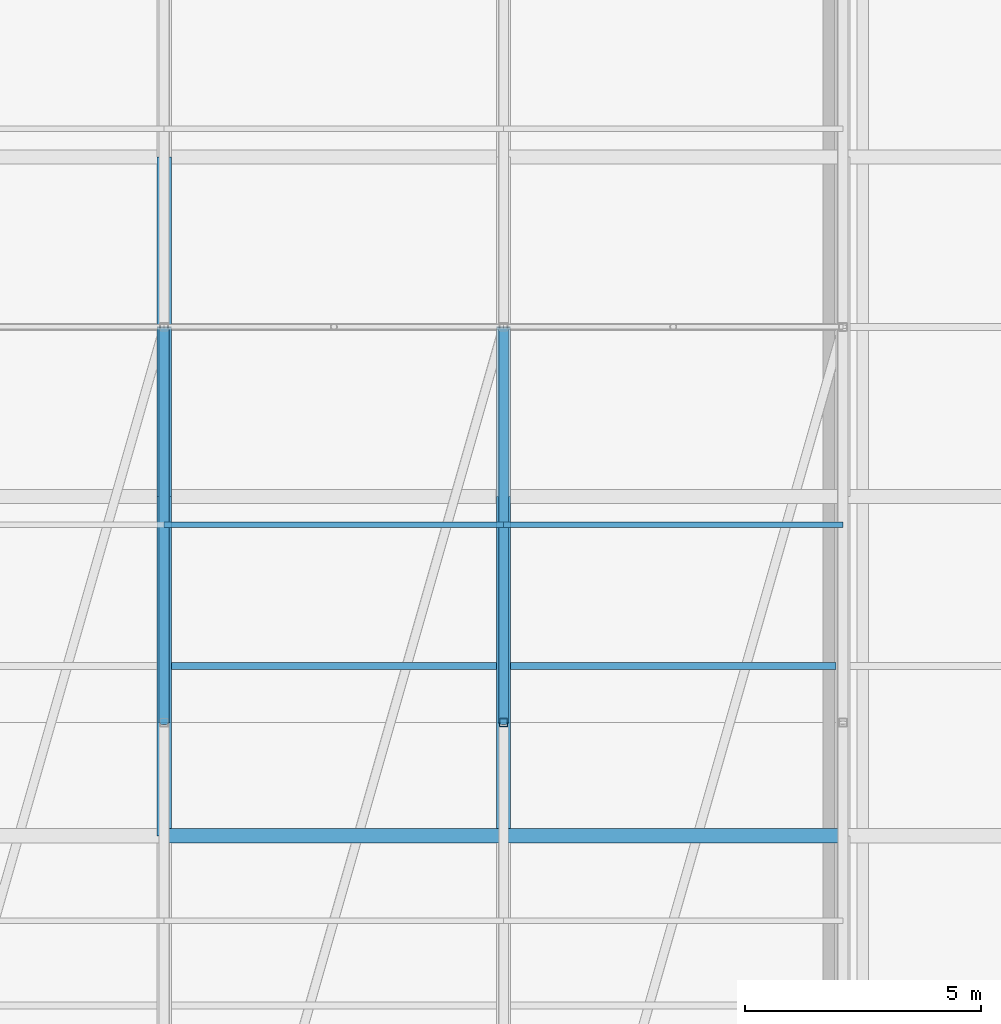
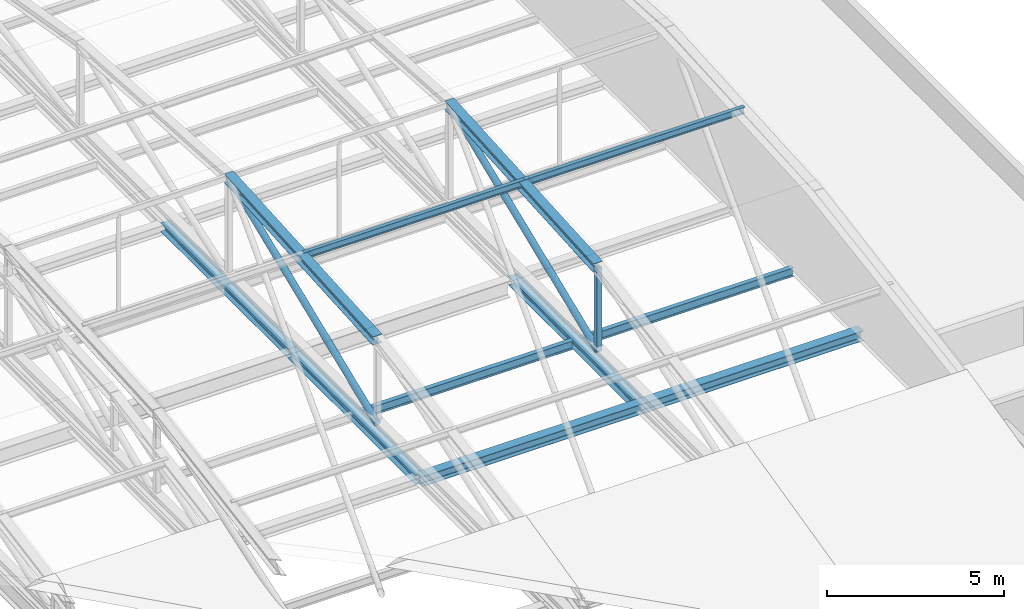
# One storey, part 30 of 76: 9 beams, 5 members.
"""IFC4 building model written with IfcOpenShell, lengths in metres."""

import ifcopenshell
import ifcopenshell.guid

model = None  # the IFC model being written
_history = None  # IfcOwnerHistory: only IFC2X3 demands one
_inside = {}  # id of a spatial element -> (the spatial element, [elements in it])
_under = {}  # id of a project, library or spatial element -> (it, [spatial elements below it])
_declared = {}  # id of a project -> (the project, [libraries it declares])
_typed = {}  # id of a type object -> (the type object, [elements of that type])
_made_of = {}  # id of a material, layer set ... -> (it, [elements and type objects made of it])


def new_model(schema):
    """Start an empty IFC model of exactly this schema.

    Asked for "IFC4X3", IfcOpenShell would pick the latest addendum, in which some entities
    have other attributes; the version numbers below select the first issue.
    IFC2X3 requires an IfcOwnerHistory on every rooted entity: one is made here for all.
    """
    global model, _history
    if schema == "IFC4X3":
        model = ifcopenshell.file(schema_version=(4, 3, 0, 0))
    else:
        model = ifcopenshell.file(schema=schema)
    _inside.clear()
    _under.clear()
    _declared.clear()
    _typed.clear()
    _made_of.clear()
    _history = None
    if model.schema == "IFC2X3":
        org = make("IfcOrganization", Name="unknown")
        user = make(
            "IfcPersonAndOrganization",
            ThePerson=make("IfcPerson", FamilyName="unknown"),
            TheOrganization=org,
        )
        app = make(
            "IfcApplication",
            ApplicationDeveloper=org,
            Version="unknown",
            ApplicationFullName="unknown",
            ApplicationIdentifier="unknown",
        )
        _history = make(
            "IfcOwnerHistory",
            OwningUser=user,
            OwningApplication=app,
            ChangeAction="ADDED",
            CreationDate=0,
        )
    return model


def make(cls, **values):
    """One entity of the class cls with the attributes given. An attribute that is None is left unset."""
    return model.create_entity(
        cls, **{name: value for name, value in values.items() if value is not None}
    )


def rooted(cls, **values):
    """An entity with a GlobalId (a new one), such as an element, a storey or a relation."""
    return make(cls, GlobalId=ifcopenshell.guid.new(), OwnerHistory=_history, **values)


def si_unit(unit_type, name, prefix=None):
    """IfcSIUnit, for example si_unit("LENGTHUNIT", "METRE", prefix="MILLI")."""
    return make("IfcSIUnit", UnitType=unit_type, Prefix=prefix, Name=name)


def assignment(units):
    """IfcUnitAssignment: the units of a project."""
    return None if units is None else make("IfcUnitAssignment", Units=units)


def point(xyz):
    """IfcCartesianPoint."""
    return None if xyz is None else make("IfcCartesianPoint", Coordinates=xyz)


def direction(xyz):
    """IfcDirection."""
    return None if xyz is None else make("IfcDirection", DirectionRatios=xyz)


def frame(location, z_axis=None, x_axis=None):
    """IfcAxis2Placement3D, a coordinate frame: its origin and axes. An axis left out is left unset."""
    return make(
        "IfcAxis2Placement3D",
        Location=point(location),
        Axis=direction(z_axis),
        RefDirection=direction(x_axis),
    )


def frame_2d(location, x_axis=None):
    """IfcAxis2Placement2D, a coordinate frame in the plane: its origin and x axis."""
    return make(
        "IfcAxis2Placement2D", Location=point(location), RefDirection=direction(x_axis)
    )


def origin():
    """The frame at (0, 0, 0) with its axes left unset."""
    return frame((0.0, 0.0, 0.0))


def origin_2d():
    """The frame at (0, 0) in the plane with its x axis left unset."""
    return frame_2d((0.0, 0.0))


def place(relative_to, where):
    """IfcLocalPlacement: puts the frame where relative to a parent placement (None: the world)."""
    return make(
        "IfcLocalPlacement", PlacementRelTo=relative_to, RelativePlacement=where
    )


def context(
    kind, dimensions, precision=None, world=None, true_north=None, identifier=None
):
    """IfcGeometricRepresentationContext, for example the 3D "Model" context."""
    return make(
        "IfcGeometricRepresentationContext",
        ContextIdentifier=identifier,
        ContextType=kind,
        CoordinateSpaceDimension=dimensions,
        Precision=precision,
        WorldCoordinateSystem=world,
        TrueNorth=true_north,
    )


def subcontext(parent, identifier, kind, view, scale=None):
    """IfcGeometricRepresentationSubContext, for example "Body" below "Model"."""
    return make(
        "IfcGeometricRepresentationSubContext",
        ContextIdentifier=identifier,
        ContextType=kind,
        ParentContext=parent,
        TargetScale=scale,
        TargetView=view,
    )


def project(units=None, contexts=None):
    """IfcProject with its units and contexts."""
    return rooted(
        "IfcProject",
        Name="project",
        RepresentationContexts=contexts,
        UnitsInContext=assignment(units),
    )


def spatial(cls, under=None, at=None, **own):
    """A site, building, storey or space (cls), placed at a placement, below another one or the project."""
    s = rooted(cls, ObjectPlacement=at, **own)
    if under is not None:
        _under.setdefault(under.id(), (under, []))[1].append(s)
    return s


def profile(cls, at=None, kind="AREA", **sizes):
    """A parametric profile (cls). Its sizes go by their IFC names, for example OverallWidth=200.0."""
    return make(cls, ProfileType=kind, Position=at, **sizes)


def hollow_rectangle(**sizes):
    """IfcRectangleHollowProfileDef."""
    return profile("IfcRectangleHollowProfileDef", **sizes)


def hollow_circle(**sizes):
    """IfcCircleHollowProfileDef."""
    return profile("IfcCircleHollowProfileDef", **sizes)


def i_section(**sizes):
    """IfcIShapeProfileDef."""
    return profile("IfcIShapeProfileDef", **sizes)


def extrude(swept, where, along, depth):
    """IfcExtrudedAreaSolid: the profile swept, set in the frame where, extruded along a direction by depth."""
    return make(
        "IfcExtrudedAreaSolid",
        SweptArea=swept,
        Position=where,
        ExtrudedDirection=direction(along),
        Depth=depth,
    )


def shape(context_of_items, identifier, shape_type, items):
    """IfcShapeRepresentation: the items that make up one representation, for example the "Body"."""
    return make(
        "IfcShapeRepresentation",
        ContextOfItems=context_of_items,
        RepresentationIdentifier=identifier,
        RepresentationType=shape_type,
        Items=items,
    )


def material(Name=None, Category=None):
    """IfcMaterial."""
    return make("IfcMaterial", Name=Name, Category=Category)


def material_profile(
    of_material, cross_section, Name=None, Category=None, Priority=None
):
    """IfcMaterialProfile: a cross section and its material."""
    return make(
        "IfcMaterialProfile",
        Name=Name,
        Material=of_material,
        Profile=cross_section,
        Priority=Priority,
        Category=Category,
    )


def profile_set(profiles, Name=None, composite=None):
    """IfcMaterialProfileSet."""
    return make(
        "IfcMaterialProfileSet",
        Name=Name,
        MaterialProfiles=profiles,
        CompositeProfile=composite,
    )


def made_of(thing, what):
    """Note that an element or type object is made of a material, layer set ...; save() writes the relation."""
    if what is not None:
        _made_of.setdefault(what.id(), (what, []))[1].append(thing)
    return thing


def type_object(cls, material=None, **own):
    """A type object (cls), such as IfcWallType, which elements share."""
    return made_of(rooted(cls, **own), material)


def element(
    cls,
    number,
    at=None,
    inside=None,
    cuts=None,
    type_object=None,
    material=None,
    context=None,
    identifier="Body",
    shape_type=None,
    held_by="IfcProductDefinitionShape",
    body=None,
    shapes=None,
    **own,
):
    """One element of the class cls, such as IfcWall. Its Tag is "e" and its number.

    at: its placement. inside: the storey or other place that contains it. cuts: it is an
    opening in that element (IfcRelVoidsElement). A single representation is given by context,
    identifier, shape_type and body (its items); several are given by shapes. held_by: the class
    of the entity that holds the representations. save() writes the other relations.
    """
    e = rooted(cls, Tag="e%d" % number, ObjectPlacement=at, **own)
    if body is not None:
        shapes = [shape(context, identifier, shape_type, body)]
    if shapes is not None:
        e.Representation = make(held_by, Representations=shapes)
    if inside is not None:
        _inside.setdefault(inside.id(), (inside, []))[1].append(e)
    if cuts is not None:
        rooted(
            "IfcRelVoidsElement", RelatingBuildingElement=cuts, RelatedOpeningElement=e
        )
    if type_object is not None:
        _typed.setdefault(type_object.id(), (type_object, []))[1].append(e)
    return made_of(e, material)


def aggregate(whole, parts):
    """IfcRelAggregates: a whole, such as a stair, and the parts it consists of."""
    return rooted("IfcRelAggregates", RelatingObject=whole, RelatedObjects=parts)


def save(model, path):
    """Write the relations noted so far, then the file.

    IfcRelAggregates (storeys below a building ...), IfcRelContainedInSpatialStructure (elements
    in a storey), IfcRelDefinesByType, IfcRelAssociatesMaterial and IfcRelDeclares: one each for
    every whole, place, type object, material and project.
    """
    for whole, parts in _under.values():
        aggregate(whole, parts)
    for where, things in _inside.values():
        rooted(
            "IfcRelContainedInSpatialStructure",
            RelatedElements=things,
            RelatingStructure=where,
        )
    for kind, things in _typed.values():
        rooted("IfcRelDefinesByType", RelatedObjects=things, RelatingType=kind)
    for what, things in _made_of.values():
        rooted("IfcRelAssociatesMaterial", RelatedObjects=things, RelatingMaterial=what)
    for by, libraries in _declared.values():
        rooted("IfcRelDeclares", RelatingContext=by, RelatedDefinitions=libraries)
    model.write(path)


model = new_model("IFC4")

# Units and contexts
model_context = context("Model", 3, precision=1e-05, world=origin(), true_north=direction((0.0, 1.0)))
body_context = subcontext(model_context, "Body", "Model", "MODEL_VIEW")
ifc_project = project(units=[si_unit("LENGTHUNIT", "METRE"), si_unit("AREAUNIT", "SQUARE_METRE"), si_unit("VOLUMEUNIT", "CUBIC_METRE"), si_unit("PLANEANGLEUNIT", "RADIAN"), si_unit("MASSUNIT", "GRAM", prefix="KILO")], contexts=[model_context])

# Site, building, storey
site_placement = place(None, origin())
site = spatial("IfcSite", under=ifc_project, at=site_placement, CompositionType="ELEMENT")
building_placement = place(site_placement, origin())
building = spatial("IfcBuilding", under=site, at=building_placement, Name="Zlatovets Crest Museum", CompositionType="ELEMENT")
storey_placement = place(building_placement, frame((0.0, 0.0, 17.10009765625)))
storey = spatial("IfcBuildingStorey", under=building, at=storey_placement, Name="L04", CompositionType="ELEMENT", Elevation=17.10009765625)

# Beams
ifc_material = material(Name="Structural steel S355J2", Category="steel")
ifc_material_profile_1 = material_profile(ifc_material, i_section(OverallWidth=0.300048828125, OverallDepth=0.35009765625, WebThickness=0.010009765625, FlangeThickness=0.017578125, FilletRadius=0.027099609375, at=origin_2d()), Name="HEA 360")
ifc_profile_set_1 = profile_set([ifc_material_profile_1], Name="Structural steel S355J2")
beam_type_1 = type_object("IfcBeamType", Name="Beam_B-03", PredefinedType="BEAM", material=ifc_profile_set_1)
beam_1_placement = place(storey_placement, frame((14.39990234375, 64.800048828125, -0.39501953125), z_axis=(1.0, 0.0, 0.0), x_axis=(0.0, 1.0, 0.0)))
element("IfcBeam", 1, at=beam_1_placement, inside=storey, type_object=beam_type_1, Name="V4 L04 Primary Girder B-03", PredefinedType="BEAM", context=body_context, shape_type="SweptSolid", body=[
    extrude(i_section(OverallWidth=0.300048828125, OverallDepth=0.35009765625, WebThickness=0.010009765625, FlangeThickness=0.017578125, FilletRadius=0.027099609375, at=origin_2d()), origin(), (0.0, 0.0, 1.0), 7.2001953125),
])
beam_2_placement = place(storey_placement, frame((21.60009765625, 64.800048828125, -0.39501953125), z_axis=(1.0, 0.0, 0.0), x_axis=(0.0, 1.0, 0.0)))
element("IfcBeam", 2, at=beam_2_placement, inside=storey, type_object=beam_type_1, Name="V4 L04 Primary Girder B-03", PredefinedType="BEAM", context=body_context, shape_type="SweptSolid", body=[
    extrude(i_section(OverallWidth=0.300048828125, OverallDepth=0.35009765625, WebThickness=0.010009765625, FlangeThickness=0.017578125, FilletRadius=0.027099609375, at=origin_2d()), origin(), (0.0, 0.0, 1.0), 7.199951171875),
])
ifc_material_profile_2 = material_profile(ifc_material, i_section(OverallWidth=0.300048828125, OverallDepth=0.31005859375, WebThickness=0.009033203125, FlangeThickness=0.015380859375, FilletRadius=0.027099609375, at=origin_2d()), Name="HEA 320")
ifc_profile_set_2 = profile_set([ifc_material_profile_2], Name="Structural steel S355J2")
beam_type_2 = type_object("IfcBeamType", Name="Beam_B-04", PredefinedType="BEAM", material=ifc_profile_set_2)
for number, where, z_axis, x_axis, name in (
    (3, (14.39990234375, 64.800048828125, -0.375), (0.0, 1.0, 0.0), (-1.0, 0.0, 0.0), "V4 L04 Grid Beam B-04"),
    (4, (14.39990234375, 72.0, -0.375), (0.0, 1.0, 0.0), (-1.0, 0.0, 0.0), "V4 L04 Grid Beam B-04"),
    (5, (21.60009765625, 64.800048828125, -0.375), (0.0, 1.0, 0.0), (-1.0, 0.0, 0.0), "V4 L04 Grid Beam B-04"),
):
    element("IfcBeam", number, at=place(storey_placement, frame(where, z_axis=z_axis, x_axis=x_axis)), inside=storey, type_object=beam_type_2, Name=name, PredefinedType="BEAM", context=body_context, shape_type="SweptSolid", body=[
        extrude(i_section(OverallWidth=0.300048828125, OverallDepth=0.31005859375, WebThickness=0.009033203125, FlangeThickness=0.015380859375, FilletRadius=0.027099609375, at=origin_2d()), origin(), (0.0, 0.0, 1.0), 7.199951171875),
    ])
ifc_material_profile_3 = material_profile(ifc_material, i_section(OverallWidth=0.14990234375, OverallDepth=0.300048828125, WebThickness=0.007080078125, FlangeThickness=0.0107421875, FilletRadius=0.014892578125, at=origin_2d()), Name="IPE 300")
ifc_profile_set_3 = profile_set([ifc_material_profile_3], Name="Structural steel S355J2")
beam_type_3 = type_object("IfcBeamType", Name="Beam_J-02", PredefinedType="JOIST", material=ifc_profile_set_3)
for number, where, z_axis, x_axis, name in (
    (6, (14.550048828125, 68.39990234375, -0.3701171875), (1.0, 0.0, 0.0), (0.0, 1.0, 0.0), "V4 L04 Composite Joist J-02"),
    (7, (21.75, 68.39990234375, -0.3701171875), (1.0, 0.0, 0.0), (0.0, 1.0, 0.0), "V4 L04 Composite Joist J-02"),
):
    element("IfcBeam", number, at=place(storey_placement, frame(where, z_axis=z_axis, x_axis=x_axis)), inside=storey, type_object=beam_type_3, Name=name, PredefinedType="JOIST", context=body_context, shape_type="SweptSolid", body=[
        extrude(i_section(OverallWidth=0.14990234375, OverallDepth=0.300048828125, WebThickness=0.007080078125, FlangeThickness=0.0107421875, FilletRadius=0.014892578125, at=origin_2d()), origin(), (0.0, 0.0, 1.0), 6.89990234375),
    ])
ifc_material_profile_4 = material_profile(ifc_material, i_section(OverallWidth=0.1201171875, OverallDepth=0.239990234375, WebThickness=0.006103515625, FlangeThickness=0.009765625, FilletRadius=0.014892578125, at=origin_2d()), Name="IPE 240")
ifc_profile_set_4 = profile_set([ifc_material_profile_4], Name="Structural steel S355J2")
beam_type_4 = type_object("IfcBeamType", Name="Beam_PR-01", PredefinedType="BEAM", material=ifc_profile_set_4)
beam_3_placement = place(storey_placement, frame((14.39990234375, 71.39990234375, 3.33203125), z_axis=(1.0, 0.0, 0.0), x_axis=(0.0, 1.0, 0.0)))
element("IfcBeam", 8, at=beam_3_placement, inside=storey, type_object=beam_type_4, Name="V4 Barrel Vault Longitudinal Purlin", PredefinedType="BEAM", context=body_context, shape_type="SweptSolid", body=[
    extrude(i_section(OverallWidth=0.1201171875, OverallDepth=0.239990234375, WebThickness=0.006103515625, FlangeThickness=0.009765625, FilletRadius=0.014892578125, at=origin_2d()), origin(), (0.0, 0.0, 1.0), 7.2001953125),
])
beam_4_placement = place(storey_placement, frame((21.60009765625, 71.39990234375, 3.33203125), z_axis=(1.0, 0.0, 0.0), x_axis=(0.0, 1.0, 0.0)))
element("IfcBeam", 9, at=beam_4_placement, inside=storey, type_object=beam_type_4, Name="V4 Barrel Vault Longitudinal Purlin", PredefinedType="BEAM", context=body_context, shape_type="SweptSolid", body=[
    extrude(i_section(OverallWidth=0.1201171875, OverallDepth=0.239990234375, WebThickness=0.006103515625, FlangeThickness=0.009765625, FilletRadius=0.014892578125, at=origin_2d()), origin(), (0.0, 0.0, 1.0), 7.199951171875),
])

# Members
ifc_material_profile_5 = material_profile(ifc_material, i_section(OverallWidth=0.300048828125, OverallDepth=0.31005859375, WebThickness=0.009033203125, FlangeThickness=0.015380859375, FilletRadius=0.027099609375, at=origin_2d()), Name="HEA 320")
ifc_profile_set_5 = profile_set([ifc_material_profile_5], Name="Structural steel S355J2")
member_type_1 = type_object("IfcMemberType", Name="Member_TM-02", PredefinedType="RAFTER", material=ifc_profile_set_5)
for number, where, z_axis, x_axis, name in (
    (10, (14.39990234375, 67.199951171875, 2.964111328125), (0.0, 0.997971279214, 0.063665735399), (-1.0, 0.0, 0.0), "V4 Art Nouveau Curved Vault Rib"),
    (11, (21.60009765625, 67.199951171875, 2.964111328125), (0.0, 0.997971279214, 0.063665735399), (-1.0, 0.0, 0.0), "V4 Art Nouveau Curved Vault Rib"),
):
    element("IfcMember", number, at=place(storey_placement, frame(where, z_axis=z_axis, x_axis=x_axis)), inside=storey, type_object=member_type_1, Name=name, PredefinedType="RAFTER", context=body_context, shape_type="SweptSolid", body=[
        extrude(i_section(OverallWidth=0.300048828125, OverallDepth=0.31005859375, WebThickness=0.009033203125, FlangeThickness=0.015380859375, FilletRadius=0.027099609375, at=origin_2d()), origin(), (0.0, 0.0, 1.0), 8.417236328125),
    ])
ifc_material_profile_6 = material_profile(ifc_material, hollow_rectangle(XDim=0.179931640625, YDim=0.179931640625, WallThickness=0.010009765625, InnerFilletRadius=0.010009765625, OuterFilletRadius=0.02001953125, at=origin_2d()), Name="SHS 180x180x10.0")
ifc_profile_set_6 = profile_set([ifc_material_profile_6], Name="Structural steel S355J2")
member_type_2 = type_object("IfcMemberType", Name="Member_TM-04", PredefinedType="STRUT", material=ifc_profile_set_6)
member_placement = place(storey_placement, frame((21.60009765625, 67.199951171875, 0.079833984375), z_axis=(0.0, 0.0, 1.0), x_axis=(1.0, 0.0, 0.0)))
element("IfcMember", 12, at=member_placement, inside=storey, type_object=member_type_2, Name="V4 Barrel Vault Web Strut", PredefinedType="STRUT", context=body_context, shape_type="SweptSolid", body=[
    extrude(hollow_rectangle(XDim=0.179931640625, YDim=0.179931640625, WallThickness=0.010009765625, InnerFilletRadius=0.010009765625, OuterFilletRadius=0.02001953125, at=origin_2d()), origin(), (0.0, 0.0, 1.0), 2.88427734375),
])
ifc_material_profile_7 = material_profile(ifc_material, hollow_circle(Radius=0.109619140625, WallThickness=0.010009765625, at=origin_2d()), Name="CHS 219.1x10.0")
ifc_profile_set_7 = profile_set([ifc_material_profile_7], Name="Structural steel S355J2")
member_type_3 = type_object("IfcMemberType", Name="Member_TM-05", PredefinedType="BRACE", material=ifc_profile_set_7)
for number, where, z_axis, x_axis, name in (
    (13, (14.39990234375, 67.199951171875, 0.079833984375), (0.0, 0.926173852742, 0.377096797252), (-1.0, 0.0, 0.0), "V4 Barrel Vault Web Diagonal"),
    (14, (21.60009765625, 67.199951171875, 0.079833984375), (0.0, 0.926173852742, 0.377096797252), (-1.0, 0.0, 0.0), "V4 Barrel Vault Web Diagonal"),
):
    element("IfcMember", number, at=place(storey_placement, frame(where, z_axis=z_axis, x_axis=x_axis)), inside=storey, type_object=member_type_3, Name=name, PredefinedType="BRACE", context=body_context, shape_type="SweptSolid", body=[
        extrude(hollow_circle(Radius=0.109619140625, WallThickness=0.010009765625, at=origin_2d()), origin(), (0.0, 0.0, 1.0), 9.06982421875),
    ])

save(model, "model.ifc")
